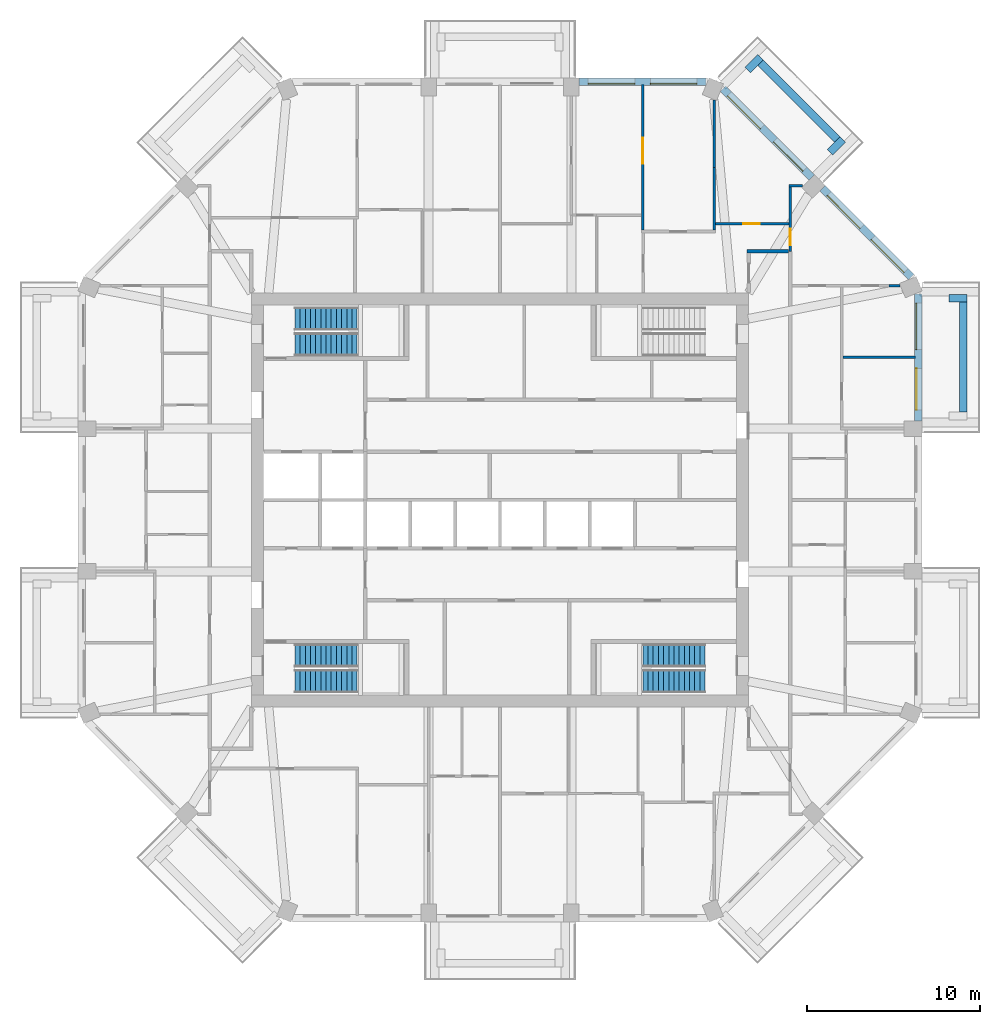
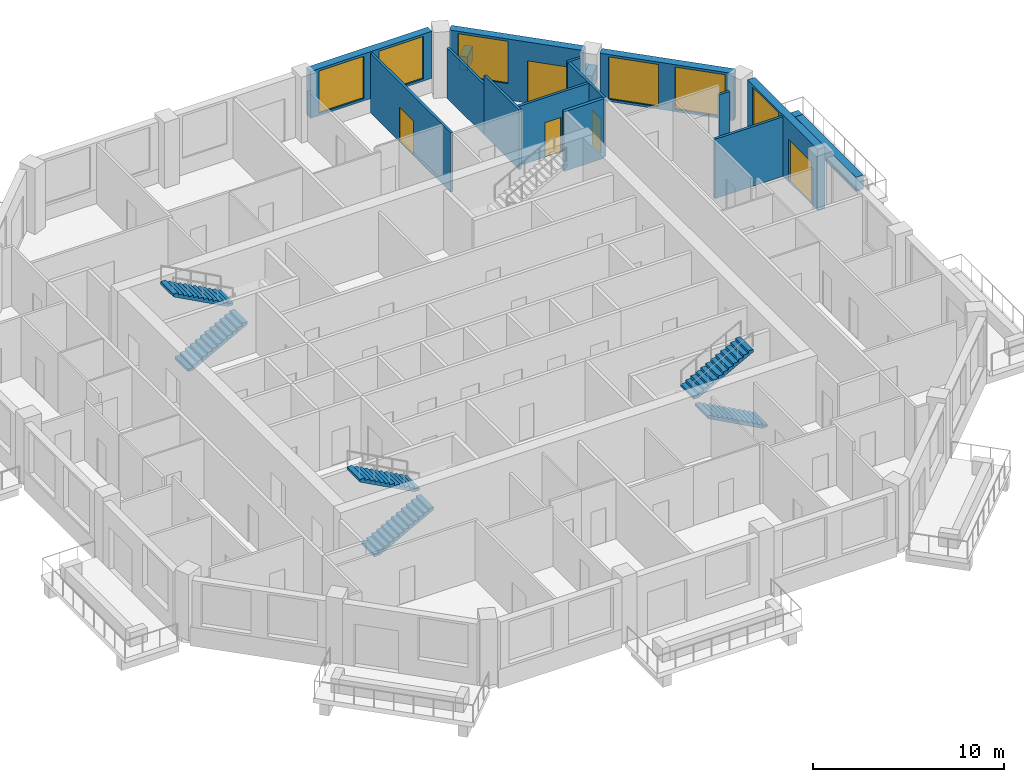
# One storey, part 9 of 12: 18 walls, 6 stair flights, 6 windows, 5 doors, 11 openings, 3 elements without a shape of their own.
"""IFC4 building model written with IfcOpenShell, lengths in metres."""

from ifc_helpers import new_model, si_unit, direction, frame, frame_2d, origin, place, context, subcontext, project, spatial, polyline, rectangle, outline, extrude, material, layer, layer_set, type_object, element, fill, aggregate, save


model = new_model("IFC4")

# Units and contexts
model_context = context("Model", 3, precision=1e-05, world=origin(), true_north=direction((0.0, 1.0)))
body_context = subcontext(model_context, "Body", "Model", "MODEL_VIEW")
ifc_project = project(units=[si_unit("LENGTHUNIT", "METRE"), si_unit("AREAUNIT", "SQUARE_METRE"), si_unit("VOLUMEUNIT", "CUBIC_METRE"), si_unit("PLANEANGLEUNIT", "RADIAN"), si_unit("MASSUNIT", "GRAM", prefix="KILO")], contexts=[model_context])

# Site, building, storey
site_placement = place(None, origin())
site = spatial("IfcSite", under=ifc_project, at=site_placement, CompositionType="ELEMENT")
building_placement = place(site_placement, origin())
building = spatial("IfcBuilding", under=site, at=building_placement, Name="Msitu Wima Residences", CompositionType="ELEMENT")
storey_placement = place(building_placement, frame((0.0, 0.0, 204.300048828125)))
storey = spatial("IfcBuildingStorey", under=building, at=storey_placement, Name="L47", CompositionType="ELEMENT", Elevation=204.300048828125)

# Walls
ifc_material_1 = material(Name="Facing brick")
ifc_layer_1 = layer(ifc_material_1, 0.06494140625, Name="Facing brick")
ifc_material_2 = material(Name="Concrete C40/50", Category="concrete")
ifc_layer_2 = layer(ifc_material_2, 0.156005859375, Name="Concrete C40/50")
ifc_material_3 = material(Name="Waterproofing membrane")
ifc_layer_3 = layer(ifc_material_3, 0.00390625, Name="Waterproofing membrane")
ifc_material_4 = material(Name="Planting soil and planting")
ifc_layer_4 = layer(ifc_material_4, 0.22509765625, Name="Planting soil and planting")
ifc_layer_set_1 = layer_set([ifc_layer_1, ifc_layer_2, ifc_layer_3, ifc_layer_4], Name="Concrete C40/50")
wall_type_1 = type_object("IfcWallType", Name="Balcony planter PLANTER PL450", PredefinedType="USERDEFINED", material=ifc_layer_set_1)
wall_1_placement = place(storey_placement, frame((26.824951171875, 5.087158203125, 0.0), z_axis=(0.0, 0.0, 1.0), x_axis=(0.0, 1.0, 0.0)))
element("IfcWall", 1, at=wall_1_placement, inside=storey, type_object=wall_type_1, Name="Balcony planter E2 L47", ObjectType="PLANTER", PredefinedType="USERDEFINED", context=body_context, shape_type="SweptSolid", body=[
    extrude(rectangle(XDim=6.37451171875, YDim=0.449951171875, at=frame_2d((3.187255859375, 0.0))), origin(), (0.0, 0.0, 1.0), 0.89990234375),
])
wall_2_placement = place(storey_placement, frame((26.0, 11.686767578125, 0.0), z_axis=(0.0, 0.0, 1.0), x_axis=(1.0, 0.0, 0.0)))
element("IfcWall", 2, at=wall_2_placement, inside=storey, type_object=wall_type_1, Name="Balcony planter E2 L47", ObjectType="PLANTER", PredefinedType="USERDEFINED", context=body_context, shape_type="SweptSolid", body=[
    extrude(rectangle(XDim=1.050048828125, YDim=0.449951171875, at=frame_2d((0.52490234375, 0.0))), origin(), (0.0, 0.0, 1.0), 0.89990234375),
])
wall_3_placement = place(storey_placement, frame((19.53173828125, 20.875244140625, 0.0), z_axis=(0.0, 0.0, 1.0), x_axis=(-0.707106781187, 0.707106781187, 0.0)))
element("IfcWall", 3, at=wall_3_placement, inside=storey, type_object=wall_type_1, Name="Balcony planter NE1 L47", ObjectType="PLANTER", PredefinedType="USERDEFINED", context=body_context, shape_type="SweptSolid", body=[
    extrude(rectangle(XDim=6.294189453125, YDim=0.449951171875, at=frame_2d((3.14697265625, 0.0))), origin(), (0.0, 0.0, 1.0), 0.89990234375),
])
for number, where, z_axis, x_axis, name in (
    (4, (19.107421875, 20.1328125, 0.0), (0.0, 0.0, 1.0), (0.707106781187, 0.707106781187, 0.0), "Balcony planter NE1 L47"),
    (5, (14.338623046875, 24.901611328125, 0.0), (0.0, 0.0, 1.0), (0.707106781187, 0.707106781187, 0.0), "Balcony planter NE1 L47"),
):
    element("IfcWall", number, at=place(storey_placement, frame(where, z_axis=z_axis, x_axis=x_axis)), inside=storey, type_object=wall_type_1, Name=name, ObjectType="PLANTER", PredefinedType="USERDEFINED", context=body_context, shape_type="SweptSolid", body=[
        extrude(rectangle(XDim=1.050048828125, YDim=0.449951171875, at=frame_2d((0.52490234375, 0.0))), origin(), (0.0, 0.0, 1.0), 0.89990234375),
    ])

# Wall, openings, door, window
ifc_material_5 = material(Name="Brick (red buff mix)", Category="masonry")
ifc_layer_5 = layer(ifc_material_5, 0.449951171875)
ifc_layer_set_2 = layer_set([ifc_layer_5], Name="Brick (red buff mix)")
wall_type_2 = type_object("IfcWallType", Name="Brick infill wall BW450", PredefinedType="SOLIDWALL", material=ifc_layer_set_2)
wall_4_placement = place(storey_placement, frame((24.22509765625, 4.587158203125, 0.0), z_axis=(0.0, 0.0, 1.0), x_axis=(0.0, 1.0, 0.0)))
wall_4 = element("IfcWall", 6, at=wall_4_placement, inside=storey, type_object=wall_type_2, Name="Brick infill wall L47 E2", PredefinedType="SOLIDWALL", context=body_context, shape_type="SweptSolid", body=[
    extrude(rectangle(XDim=7.337646484375, YDim=0.449951171875, at=frame_2d((3.6689453125, 0.0))), origin(), (0.0, 0.0, 1.0), 3.89990234375),
])
opening_1_placement = place(wall_4_placement, frame((0.63427734375, 0.0, 0.0)))
opening_1 = element("IfcOpeningElement", 7, at=opening_1_placement, cuts=wall_4, Name="Opening D47.002", PredefinedType="OPENING", context=body_context, shape_type="SweptSolid", body=[
    extrude(rectangle(XDim=2.39990234375, YDim=2.699951171875, at=frame_2d((1.199951171875, 1.35009765625))), frame((0.0, 0.23486328125, 0.0), z_axis=(0.0, -1.0, 0.0), x_axis=(1.0, 0.0, 0.0)), (0.0, 0.0, 1.0), 0.469970703125),
])
opening_2_placement = place(wall_4_placement, frame((4.11865234375, 0.0, 1.050048828125)))
opening_2 = element("IfcOpeningElement", 8, at=opening_2_placement, cuts=wall_4, Name="Opening W47.004", PredefinedType="OPENING", context=body_context, shape_type="SweptSolid", body=[
    extrude(rectangle(XDim=2.699951171875, YDim=2.699951171875, at=frame_2d((1.35009765625, 1.35009765625))), frame((0.0, 0.23486328125, 0.0), z_axis=(0.0, -1.0, 0.0), x_axis=(1.0, 0.0, 0.0)), (0.0, 0.0, 1.0), 0.469970703125),
])
ifc_material_6 = material(Name="Anodised aluminium, bronze finish, clear low-emissivity double glazing", Category="aluminium")
door_type_1 = type_object("IfcDoorType", Name="Balcony door D2400x2700", OperationType="SLIDING_TO_LEFT", PredefinedType="DOOR", material=ifc_material_6)
door_1_placement = place(opening_1_placement, origin())
door_1 = element("IfcDoor", 9, at=door_1_placement, inside=storey, type_object=door_type_1, Name="Balcony door L47 E2", OperationType="SINGLE_SWING_LEFT", OverallHeight=2.699951171875, OverallWidth=2.39990234375, PredefinedType="DOOR", context=body_context, shape_type="SweptSolid", body=[
    extrude(rectangle(XDim=2.39990234375, YDim=2.699951171875, at=frame_2d((1.199951171875, 1.35009765625))), frame((0.0, 0.1298828125, 0.0), z_axis=(0.0, -1.0, 0.0), x_axis=(1.0, 0.0, 0.0)), (0.0, 0.0, 1.0), 0.050048828125),
])
fill(opening_1, door_1)
window_type = type_object("IfcWindowType", Name="Window W2700x2700", PartitioningType="DOUBLE_PANEL_VERTICAL", PredefinedType="WINDOW", material=ifc_material_6)
window_1_placement = place(opening_2_placement, origin())
window_1 = element("IfcWindow", 10, at=window_1_placement, inside=storey, type_object=window_type, Name="Window L47 E2.2", OverallHeight=2.699951171875, OverallWidth=2.699951171875, PartitioningType="SINGLE_PANEL", PredefinedType="WINDOW", context=body_context, shape_type="SweptSolid", body=[
    extrude(rectangle(XDim=2.699951171875, YDim=2.699951171875, at=frame_2d((1.35009765625, 1.35009765625))), frame((0.0, 0.135009765625, 0.0), z_axis=(0.0, -1.0, 0.0), x_axis=(1.0, 0.0, 0.0)), (0.0, 0.0, 1.0), 0.06005859375),
])
fill(opening_2, window_1)

# Wall, openings, windows
wall_5_placement = place(storey_placement, frame((23.814697265625, 12.915283203125, 0.89990234375), z_axis=(0.0, 0.0, 1.0), x_axis=(-0.707106781187, 0.707106781187, 0.0)))
wall_5 = element("IfcWall", 11, at=wall_5_placement, inside=storey, type_object=wall_type_2, Name="Brick infill wall L47 NE0", PredefinedType="SOLIDWALL", context=body_context, shape_type="SweptSolid", body=[
    extrude(rectangle(XDim=7.257080078125, YDim=0.449951171875, at=frame_2d((3.62841796875, 0.0))), origin(), (0.0, 0.0, 1.0), 3.0),
])
opening_3_placement = place(wall_5_placement, frame((0.478515625, 0.0, 0.14990234375)))
opening_3 = element("IfcOpeningElement", 12, at=opening_3_placement, cuts=wall_5, Name="Opening W47.010", PredefinedType="OPENING", context=body_context, shape_type="SweptSolid", body=[
    extrude(rectangle(XDim=2.699951171875, YDim=2.699951171875, at=frame_2d((1.35009765625, 1.35009765625))), frame((0.0, 0.23486328125, 0.0), z_axis=(0.0, -1.0, 0.0), x_axis=(1.0, 0.0, 0.0)), (0.0, 0.0, 1.0), 0.469970703125),
])
opening_4_placement = place(wall_5_placement, frame((4.07861328125, 0.0, 0.14990234375)))
opening_4 = element("IfcOpeningElement", 13, at=opening_4_placement, cuts=wall_5, Name="Opening W47.011", PredefinedType="OPENING", context=body_context, shape_type="SweptSolid", body=[
    extrude(rectangle(XDim=2.699951171875, YDim=2.699951171875, at=frame_2d((1.35009765625, 1.35009765625))), frame((0.0, 0.23486328125, 0.0), z_axis=(0.0, -1.0, 0.0), x_axis=(1.0, 0.0, 0.0)), (0.0, 0.0, 1.0), 0.469970703125),
])
window_2_placement = place(opening_3_placement, origin())
window_2 = element("IfcWindow", 14, at=window_2_placement, inside=storey, type_object=window_type, Name="Window L47 NE0.1", OverallHeight=2.699951171875, OverallWidth=2.699951171875, PartitioningType="SINGLE_PANEL", PredefinedType="WINDOW", context=body_context, shape_type="SweptSolid", body=[
    extrude(rectangle(XDim=2.699951171875, YDim=2.699951171875, at=frame_2d((1.35009765625, 1.35009765625))), frame((0.0, 0.135009765625, 0.0), z_axis=(0.0, -1.0, 0.0), x_axis=(1.0, 0.0, 0.0)), (0.0, 0.0, 1.0), 0.06005859375),
])
fill(opening_3, window_2)
window_3_placement = place(opening_4_placement, origin())
window_3 = element("IfcWindow", 15, at=window_3_placement, inside=storey, type_object=window_type, Name="Window L47 NE0.2", OverallHeight=2.699951171875, OverallWidth=2.699951171875, PartitioningType="SINGLE_PANEL", PredefinedType="WINDOW", context=body_context, shape_type="SweptSolid", body=[
    extrude(rectangle(XDim=2.699951171875, YDim=2.699951171875, at=frame_2d((1.35009765625, 1.35009765625))), frame((0.0, 0.135009765625, 0.0), z_axis=(0.0, -1.0, 0.0), x_axis=(1.0, 0.0, 0.0)), (0.0, 0.0, 1.0), 0.06005859375),
])
fill(opening_4, window_3)

# Wall, openings, door, window
wall_6_placement = place(storey_placement, frame((18.046875, 18.68310546875, 0.0), z_axis=(0.0, 0.0, 1.0), x_axis=(-0.707106781187, 0.707106781187, 0.0)))
wall_6 = element("IfcWall", 16, at=wall_6_placement, inside=storey, type_object=wall_type_2, Name="Brick infill wall L47 NE1", PredefinedType="SOLIDWALL", context=body_context, shape_type="SweptSolid", body=[
    extrude(rectangle(XDim=7.257080078125, YDim=0.449951171875, at=frame_2d((3.62841796875, 0.0))), origin(), (0.0, 0.0, 1.0), 3.89990234375),
])
opening_5_placement = place(wall_6_placement, frame((0.6142578125, 0.0, 0.0)))
opening_5 = element("IfcOpeningElement", 17, at=opening_5_placement, cuts=wall_6, Name="Opening D47.004", PredefinedType="OPENING", context=body_context, shape_type="SweptSolid", body=[
    extrude(rectangle(XDim=2.39990234375, YDim=2.699951171875, at=frame_2d((1.199951171875, 1.35009765625))), frame((0.0, 0.23486328125, 0.0), z_axis=(0.0, -1.0, 0.0), x_axis=(1.0, 0.0, 0.0)), (0.0, 0.0, 1.0), 0.469970703125),
])
opening_6_placement = place(wall_6_placement, frame((4.07861328125, 0.0, 1.050048828125)))
opening_6 = element("IfcOpeningElement", 18, at=opening_6_placement, cuts=wall_6, Name="Opening W47.012", PredefinedType="OPENING", context=body_context, shape_type="SweptSolid", body=[
    extrude(rectangle(XDim=2.699951171875, YDim=2.699951171875, at=frame_2d((1.35009765625, 1.35009765625))), frame((0.0, 0.23486328125, 0.0), z_axis=(0.0, -1.0, 0.0), x_axis=(1.0, 0.0, 0.0)), (0.0, 0.0, 1.0), 0.469970703125),
])
door_2_placement = place(opening_5_placement, origin())
door_2 = element("IfcDoor", 19, at=door_2_placement, inside=storey, type_object=door_type_1, Name="Balcony door L47 NE1", OperationType="SINGLE_SWING_LEFT", OverallHeight=2.699951171875, OverallWidth=2.39990234375, PredefinedType="DOOR", context=body_context, shape_type="SweptSolid", body=[
    extrude(rectangle(XDim=2.39990234375, YDim=2.699951171875, at=frame_2d((1.199951171875, 1.35009765625))), frame((0.0, 0.1298828125, 0.0), z_axis=(0.0, -1.0, 0.0), x_axis=(1.0, 0.0, 0.0)), (0.0, 0.0, 1.0), 0.050048828125),
])
fill(opening_5, door_2)
window_4_placement = place(opening_6_placement, origin())
window_4 = element("IfcWindow", 20, at=window_4_placement, inside=storey, type_object=window_type, Name="Window L47 NE1.2", OverallHeight=2.699951171875, OverallWidth=2.699951171875, PartitioningType="SINGLE_PANEL", PredefinedType="WINDOW", context=body_context, shape_type="SweptSolid", body=[
    extrude(rectangle(XDim=2.699951171875, YDim=2.699951171875, at=frame_2d((1.35009765625, 1.35009765625))), frame((0.0, 0.135009765625, 0.0), z_axis=(0.0, -1.0, 0.0), x_axis=(1.0, 0.0, 0.0)), (0.0, 0.0, 1.0), 0.06005859375),
])
fill(opening_6, window_4)

# Wall, openings, windows
wall_7_placement = place(storey_placement, frame((11.9248046875, 24.22509765625, 0.89990234375), z_axis=(0.0, 0.0, 1.0), x_axis=(-1.0, 0.0, 0.0)))
wall_7 = element("IfcWall", 21, at=wall_7_placement, inside=storey, type_object=wall_type_2, Name="Brick infill wall L47 N0", PredefinedType="SOLIDWALL", context=body_context, shape_type="SweptSolid", body=[
    extrude(rectangle(XDim=7.337646484375, YDim=0.449951171875, at=frame_2d((3.6689453125, 0.0))), origin(), (0.0, 0.0, 1.0), 3.0),
])
opening_7_placement = place(wall_7_placement, frame((0.518798828125, 0.0, 0.14990234375)))
opening_7 = element("IfcOpeningElement", 22, at=opening_7_placement, cuts=wall_7, Name="Opening W47.005", PredefinedType="OPENING", context=body_context, shape_type="SweptSolid", body=[
    extrude(rectangle(XDim=2.699951171875, YDim=2.699951171875, at=frame_2d((1.35009765625, 1.35009765625))), frame((0.0, 0.23486328125, 0.0), z_axis=(0.0, -1.0, 0.0), x_axis=(1.0, 0.0, 0.0)), (0.0, 0.0, 1.0), 0.469970703125),
])
opening_8_placement = place(wall_7_placement, frame((4.11865234375, 0.0, 0.14990234375)))
opening_8 = element("IfcOpeningElement", 23, at=opening_8_placement, cuts=wall_7, Name="Opening W47.006", PredefinedType="OPENING", context=body_context, shape_type="SweptSolid", body=[
    extrude(rectangle(XDim=2.699951171875, YDim=2.699951171875, at=frame_2d((1.35009765625, 1.35009765625))), frame((0.0, 0.23486328125, 0.0), z_axis=(0.0, -1.0, 0.0), x_axis=(1.0, 0.0, 0.0)), (0.0, 0.0, 1.0), 0.469970703125),
])
window_5_placement = place(opening_7_placement, origin())
window_5 = element("IfcWindow", 24, at=window_5_placement, inside=storey, type_object=window_type, Name="Window L47 N0.1", OverallHeight=2.699951171875, OverallWidth=2.699951171875, PartitioningType="SINGLE_PANEL", PredefinedType="WINDOW", context=body_context, shape_type="SweptSolid", body=[
    extrude(rectangle(XDim=2.699951171875, YDim=2.699951171875, at=frame_2d((1.35009765625, 1.35009765625))), frame((0.0, 0.135009765625, 0.0), z_axis=(0.0, -1.0, 0.0), x_axis=(1.0, 0.0, 0.0)), (0.0, 0.0, 1.0), 0.06005859375),
])
fill(opening_7, window_5)
window_6_placement = place(opening_8_placement, origin())
window_6 = element("IfcWindow", 25, at=window_6_placement, inside=storey, type_object=window_type, Name="Window L47 N0.2", OverallHeight=2.699951171875, OverallWidth=2.699951171875, PartitioningType="SINGLE_PANEL", PredefinedType="WINDOW", context=body_context, shape_type="SweptSolid", body=[
    extrude(rectangle(XDim=2.699951171875, YDim=2.699951171875, at=frame_2d((1.35009765625, 1.35009765625))), frame((0.0, 0.135009765625, 0.0), z_axis=(0.0, -1.0, 0.0), x_axis=(1.0, 0.0, 0.0)), (0.0, 0.0, 1.0), 0.06005859375),
])
fill(opening_8, window_6)

# Wall
ifc_material_7 = material(Name="Plaster")
ifc_layer_6 = layer(ifc_material_7, 0.011962890625, Name="Plaster")
ifc_material_8 = material(Name="Concrete blockwork", Category="masonry")
ifc_layer_7 = layer(ifc_material_8, 0.176025390625, Name="Concrete blockwork")
ifc_layer_8 = layer(ifc_material_7, 0.011962890625, Name="Plaster")
ifc_layer_set_3 = layer_set([ifc_layer_6, ifc_layer_7, ifc_layer_8], Name="Concrete blockwork")
wall_type_3 = type_object("IfcWallType", Name="Corridor wall FW200", PredefinedType="PARTITIONING", material=ifc_layer_set_3)
wall_8_placement = place(storey_placement, frame((14.300048828125, 14.39990234375, 0.0), z_axis=(0.0, 0.0, 1.0), x_axis=(1.0, 0.0, 0.0)))
element("IfcWall", 26, at=wall_8_placement, inside=storey, type_object=wall_type_3, Name="Corridor wall", PredefinedType="PARTITIONING", context=body_context, shape_type="SweptSolid", body=[
    extrude(rectangle(XDim=2.39990234375, YDim=0.199951171875, at=frame_2d((1.199951171875, 0.0))), origin(), (0.0, 0.0, 1.0), 3.7978515625),
])

# Wall, opening, door
ifc_layer_9 = layer(ifc_material_7, 0.011962890625, Name="Plaster")
ifc_layer_10 = layer(ifc_material_8, 0.1259765625, Name="Concrete blockwork")
ifc_layer_11 = layer(ifc_material_7, 0.011962890625, Name="Plaster")
ifc_layer_set_4 = layer_set([ifc_layer_9, ifc_layer_10, ifc_layer_11], Name="Concrete blockwork")
wall_type_4 = type_object("IfcWallType", Name="Partition PW150", PredefinedType="PARTITIONING", material=ifc_layer_set_4)
wall_9_placement = place(storey_placement, frame((8.2744140625, 15.625, 0.0), z_axis=(0.0, 0.0, 1.0), x_axis=(0.0, 1.0, 0.0)))
wall_9 = element("IfcWall", 27, at=wall_9_placement, inside=storey, type_object=wall_type_4, Name="Partition", PredefinedType="PARTITIONING", context=body_context, shape_type="SweptSolid", body=[
    extrude(rectangle(XDim=8.429931640625, YDim=0.14990234375, at=frame_2d((4.21484375, 0.0))), origin(), (0.0, 0.0, 1.0), 3.7978515625),
])
opening_9_placement = place(wall_9_placement, frame((3.85009765625, 0.0, 0.0)))
opening_9 = element("IfcOpeningElement", 28, at=opening_9_placement, cuts=wall_9, Name="Opening D47.019", PredefinedType="OPENING", context=body_context, shape_type="SweptSolid", body=[
    extrude(rectangle(XDim=1.5, YDim=2.199951171875, at=frame_2d((0.75, 1.10009765625))), frame((0.0, 0.0849609375, 0.0), z_axis=(0.0, -1.0, 0.0), x_axis=(1.0, 0.0, 0.0)), (0.0, 0.0, 1.0), 0.169921875),
])
ifc_material_9 = material(Name="Timber double door", Category="wood")
door_type_2 = type_object("IfcDoorType", Name="Double door D04 1500x2200", OperationType="DOUBLE_DOOR_SINGLE_SWING", PredefinedType="DOOR", material=ifc_material_9)
door_3_placement = place(opening_9_placement, origin())
door_3 = element("IfcDoor", 29, at=door_3_placement, inside=storey, type_object=door_type_2, Name="Double door", OperationType="DOUBLE_DOOR_SINGLE_SWING", OverallHeight=2.199951171875, OverallWidth=1.5, PredefinedType="DOOR", context=body_context, shape_type="SweptSolid", body=[
    extrude(rectangle(XDim=1.5, YDim=2.199951171875, at=frame_2d((0.75, 1.10009765625))), frame((0.0, 0.02490234375, 0.0), z_axis=(0.0, -1.0, 0.0), x_axis=(1.0, 0.0, 0.0)), (0.0, 0.0, 1.0), 0.050048828125),
])
fill(opening_9, door_3)

# Walls
wall_10_placement = place(storey_placement, frame((12.411865234375, 15.625, 0.0), z_axis=(0.0, 0.0, 1.0), x_axis=(0.0, 1.0, 0.0)))
element("IfcWall", 30, at=wall_10_placement, inside=storey, type_object=wall_type_4, Name="Partition", PredefinedType="PARTITIONING", context=body_context, shape_type="SweptSolid", body=[
    extrude(rectangle(XDim=3.6455078125, YDim=0.14990234375, at=frame_2d((1.82275390625, 0.0))), origin(), (0.0, 0.0, 1.0), 3.7978515625),
])
wall_11_placement = place(storey_placement, frame((12.411865234375, 19.2705078125, 0.0), z_axis=(0.0, 0.0, 1.0), x_axis=(0.0, 1.0, 0.0)))
element("IfcWall", 31, at=wall_11_placement, inside=storey, type_object=wall_type_4, Name="Partition", PredefinedType="PARTITIONING", context=body_context, shape_type="SweptSolid", body=[
    extrude(rectangle(XDim=3.8984375, YDim=0.14990234375, at=frame_2d((1.94921875, 0.0))), origin(), (0.0, 0.0, 1.0), 3.199951171875),
])

# Wall, opening, door
wall_12_placement = place(storey_placement, frame((12.48681640625, 16.0, 0.0), z_axis=(0.0, 0.0, 1.0), x_axis=(1.0, 0.0, 0.0)))
wall_12 = element("IfcWall", 32, at=wall_12_placement, inside=storey, type_object=wall_type_4, Name="Partition", PredefinedType="PARTITIONING", context=body_context, shape_type="SweptSolid", body=[
    extrude(rectangle(XDim=4.23828125, YDim=0.14990234375, at=frame_2d((2.119140625, 0.0))), origin(), (0.0, 0.0, 1.0), 3.7978515625),
])
opening_10_placement = place(wall_12_placement, frame((1.60009765625, 0.0, 0.0)))
opening_10 = element("IfcOpeningElement", 33, at=opening_10_placement, cuts=wall_12, Name="Opening D47.017", PredefinedType="OPENING", context=body_context, shape_type="SweptSolid", body=[
    extrude(rectangle(XDim=0.949951171875, YDim=2.199951171875, at=frame_2d((0.47509765625, 1.10009765625))), frame((0.0, 0.0849609375, 0.0), z_axis=(0.0, -1.0, 0.0), x_axis=(1.0, 0.0, 0.0)), (0.0, 0.0, 1.0), 0.169921875),
])
ifc_material_10 = material(Name="Timber flush door", Category="wood")
door_type_3 = type_object("IfcDoorType", Name="Room door D12 950x2200", OperationType="SINGLE_SWING_LEFT", PredefinedType="DOOR", material=ifc_material_10)
door_4_placement = place(opening_10_placement, origin())
door_4 = element("IfcDoor", 34, at=door_4_placement, inside=storey, type_object=door_type_3, Name="Room door", OperationType="SINGLE_SWING_LEFT", OverallHeight=2.199951171875, OverallWidth=0.949951171875, PredefinedType="DOOR", context=body_context, shape_type="SweptSolid", body=[
    extrude(rectangle(XDim=0.949951171875, YDim=2.199951171875, at=frame_2d((0.47509765625, 1.10009765625))), frame((0.0, 0.02490234375, 0.0), z_axis=(0.0, -1.0, 0.0), x_axis=(1.0, 0.0, 0.0)), (0.0, 0.0, 1.0), 0.050048828125),
])
fill(opening_10, door_4)

# Wall
wall_13_placement = place(storey_placement, frame((22.529296875, 12.409912109375, 0.0), z_axis=(0.0, 0.0, 1.0), x_axis=(1.0, 0.0, 0.0)))
element("IfcWall", 35, at=wall_13_placement, inside=storey, type_object=wall_type_4, Name="Partition", PredefinedType="PARTITIONING", context=body_context, shape_type="SweptSolid", body=[
    extrude(rectangle(XDim=0.640380859375, YDim=0.14990234375, at=frame_2d((0.3203125, 0.0))), origin(), (0.0, 0.0, 1.0), 3.199951171875),
])

# Wall, opening, door
wall_14_placement = place(storey_placement, frame((16.800048828125, 14.39990234375, 0.0), z_axis=(0.0, 0.0, 1.0), x_axis=(0.0, 1.0, 0.0)))
wall_14 = element("IfcWall", 36, at=wall_14_placement, inside=storey, type_object=wall_type_4, Name="Partition", PredefinedType="PARTITIONING", context=body_context, shape_type="SweptSolid", body=[
    extrude(rectangle(XDim=3.73095703125, YDim=0.14990234375, at=frame_2d((1.865478515625, 0.0))), origin(), (0.0, 0.0, 1.0), 3.7978515625),
])
opening_11_placement = place(wall_14_placement, frame((0.35009765625, 0.0, 0.0)))
opening_11 = element("IfcOpeningElement", 37, at=opening_11_placement, cuts=wall_14, Name="Opening D47.018", PredefinedType="OPENING", context=body_context, shape_type="SweptSolid", body=[
    extrude(rectangle(XDim=0.949951171875, YDim=2.199951171875, at=frame_2d((0.47509765625, 1.10009765625))), frame((0.0, 0.0849609375, 0.0), z_axis=(0.0, -1.0, 0.0), x_axis=(1.0, 0.0, 0.0)), (0.0, 0.0, 1.0), 0.169921875),
])
door_5_placement = place(opening_11_placement, origin())
door_5 = element("IfcDoor", 38, at=door_5_placement, inside=storey, type_object=door_type_3, Name="Room door", OperationType="SINGLE_SWING_RIGHT", OverallHeight=2.199951171875, OverallWidth=0.949951171875, PredefinedType="DOOR", context=body_context, shape_type="SweptSolid", body=[
    extrude(rectangle(XDim=0.949951171875, YDim=2.199951171875, at=frame_2d((0.47509765625, 1.10009765625))), frame((0.0, 0.02490234375, 0.0), z_axis=(0.0, -1.0, 0.0), x_axis=(1.0, 0.0, 0.0)), (0.0, 0.0, 1.0), 0.050048828125),
])
fill(opening_11, door_5)

# Walls
wall_15_placement = place(storey_placement, frame((16.72509765625, 18.205810546875, 0.0), z_axis=(0.0, 0.0, 1.0), x_axis=(1.0, 0.0, 0.0)))
element("IfcWall", 39, at=wall_15_placement, inside=storey, type_object=wall_type_4, Name="Partition", PredefinedType="PARTITIONING", context=body_context, shape_type="SweptSolid", body=[
    extrude(rectangle(XDim=0.784423828125, YDim=0.14990234375, at=frame_2d((0.39208984375, 0.0))), origin(), (0.0, 0.0, 1.0), 3.7978515625),
])
wall_16_placement = place(storey_placement, frame((19.875, 8.2744140625, 0.0), z_axis=(0.0, 0.0, 1.0), x_axis=(1.0, 0.0, 0.0)))
element("IfcWall", 40, at=wall_16_placement, inside=storey, type_object=wall_type_4, Name="Partition", PredefinedType="PARTITIONING", context=body_context, shape_type="SweptSolid", body=[
    extrude(rectangle(XDim=4.179931640625, YDim=0.14990234375, at=frame_2d((2.08984375, 0.0))), origin(), (0.0, 0.0, 1.0), 3.7978515625),
])

# Stair, stair flights
stair_type = type_object("IfcStairType", Name="Exit stair ES1615-135", PredefinedType="HALF_TURN_STAIR", material=ifc_material_2)
stair_1_placement = place(storey_placement, origin())
stair_1 = element("IfcStair", 41, at=stair_1_placement, inside=storey, type_object=stair_type, Name="Exit stair 1", PredefinedType="HALF_TURN_STAIR")
stair_flight_type = type_object("IfcStairFlightType", Name="Exit stair flight ES1615-135", PredefinedType="STRAIGHT", material=ifc_material_2)
stair_flight_1_placement = place(storey_placement, frame((-11.875, 9.0, 0.0), z_axis=(0.0, 0.0, 1.0), x_axis=(1.0, 0.0, 0.0)))
stair_flight_1 = element("IfcStairFlight", 42, at=stair_flight_1_placement, type_object=stair_flight_type, Name="S1 flight 1", NumberOfRisers=13, NumberOfTreads=12, PredefinedType="STRAIGHT", RiserHeight=0.161538462, TreadLength=0.3, context=body_context, shape_type="SweptSolid", body=[
    extrude(outline(polyline([(0.0, 0.0), (0.0, 0.16162109375), (0.300048828125, 0.16162109375), (0.300048828125, 0.322998046875), (0.60009765625, 0.322998046875), (0.60009765625, 0.484619140625), (0.89990234375, 0.484619140625), (0.89990234375, 0.646240234375), (1.199951171875, 0.646240234375), (1.199951171875, 0.8076171875), (1.5, 0.8076171875), (1.5, 0.96923828125), (1.800048828125, 0.96923828125), (1.800048828125, 1.130859375), (2.10009765625, 1.130859375), (2.10009765625, 1.292236328125), (2.39990234375, 1.292236328125), (2.39990234375, 1.453857421875), (2.699951171875, 1.453857421875), (2.699951171875, 1.615478515625), (3.0, 1.615478515625), (3.0, 1.77685546875), (3.300048828125, 1.77685546875), (3.300048828125, 1.9384765625), (3.60009765625, 1.9384765625), (3.60009765625, 2.10009765625), (3.60009765625, 1.768310546875), (0.316162109375, 0.0), (0.0, 0.0)])), frame((0.0, 0.675048828125, 0.0), z_axis=(0.0, -1.0, 0.0), x_axis=(1.0, 0.0, 0.0)), (0.0, 0.0, 1.0), 1.35009765625),
])
stair_flight_2_placement = place(storey_placement, frame((-8.27490234375, 10.5, 2.099853515625), z_axis=(0.0, 0.0, 1.0), x_axis=(-1.0, 0.0, 0.0)))
stair_flight_2 = element("IfcStairFlight", 43, at=stair_flight_2_placement, type_object=stair_flight_type, Name="S1 flight 2", NumberOfRisers=13, NumberOfTreads=12, PredefinedType="STRAIGHT", RiserHeight=0.161538462, TreadLength=0.3, context=body_context, shape_type="SweptSolid", body=[
    extrude(outline(polyline([(0.0, 0.0), (0.0, 0.16162109375), (0.300048828125, 0.16162109375), (0.300048828125, 0.322998046875), (0.60009765625, 0.322998046875), (0.60009765625, 0.484619140625), (0.89990234375, 0.484619140625), (0.89990234375, 0.646240234375), (1.199951171875, 0.646240234375), (1.199951171875, 0.8076171875), (1.5, 0.8076171875), (1.5, 0.96923828125), (1.800048828125, 0.96923828125), (1.800048828125, 1.130859375), (2.10009765625, 1.130859375), (2.10009765625, 1.292236328125), (2.39990234375, 1.292236328125), (2.39990234375, 1.453857421875), (2.699951171875, 1.453857421875), (2.699951171875, 1.615478515625), (3.0, 1.615478515625), (3.0, 1.77685546875), (3.300048828125, 1.77685546875), (3.300048828125, 1.9384765625), (3.60009765625, 1.9384765625), (3.60009765625, 2.10009765625), (3.60009765625, 1.768310546875), (0.316162109375, 0.0), (0.0, 0.0)])), frame((0.0, 0.675048828125, 0.0), z_axis=(0.0, -1.0, 0.0), x_axis=(1.0, 0.0, 0.0)), (0.0, 0.0, 1.0), 1.35009765625),
])
aggregate(stair_1, [stair_flight_1, stair_flight_2])

stair_2_placement = place(storey_placement, origin())
stair_2 = element("IfcStair", 44, at=stair_2_placement, inside=storey, type_object=stair_type, Name="Exit stair 2", PredefinedType="HALF_TURN_STAIR")
stair_flight_3_placement = place(storey_placement, frame((-11.875, -10.5, 0.0), z_axis=(0.0, 0.0, 1.0), x_axis=(1.0, 0.0, 0.0)))
stair_flight_3 = element("IfcStairFlight", 45, at=stair_flight_3_placement, type_object=stair_flight_type, Name="S2 flight 1", NumberOfRisers=13, NumberOfTreads=12, PredefinedType="STRAIGHT", RiserHeight=0.161538462, TreadLength=0.3, context=body_context, shape_type="SweptSolid", body=[
    extrude(outline(polyline([(0.0, 0.0), (0.0, 0.16162109375), (0.300048828125, 0.16162109375), (0.300048828125, 0.322998046875), (0.60009765625, 0.322998046875), (0.60009765625, 0.484619140625), (0.89990234375, 0.484619140625), (0.89990234375, 0.646240234375), (1.199951171875, 0.646240234375), (1.199951171875, 0.8076171875), (1.5, 0.8076171875), (1.5, 0.96923828125), (1.800048828125, 0.96923828125), (1.800048828125, 1.130859375), (2.10009765625, 1.130859375), (2.10009765625, 1.292236328125), (2.39990234375, 1.292236328125), (2.39990234375, 1.453857421875), (2.699951171875, 1.453857421875), (2.699951171875, 1.615478515625), (3.0, 1.615478515625), (3.0, 1.77685546875), (3.300048828125, 1.77685546875), (3.300048828125, 1.9384765625), (3.60009765625, 1.9384765625), (3.60009765625, 2.10009765625), (3.60009765625, 1.768310546875), (0.316162109375, 0.0), (0.0, 0.0)])), frame((0.0, 0.675048828125, 0.0), z_axis=(0.0, -1.0, 0.0), x_axis=(1.0, 0.0, 0.0)), (0.0, 0.0, 1.0), 1.35009765625),
])
stair_flight_4_placement = place(storey_placement, frame((-8.27490234375, -9.0, 2.099853515625), z_axis=(0.0, 0.0, 1.0), x_axis=(-1.0, 0.0, 0.0)))
stair_flight_4 = element("IfcStairFlight", 46, at=stair_flight_4_placement, type_object=stair_flight_type, Name="S2 flight 2", NumberOfRisers=13, NumberOfTreads=12, PredefinedType="STRAIGHT", RiserHeight=0.161538462, TreadLength=0.3, context=body_context, shape_type="SweptSolid", body=[
    extrude(outline(polyline([(0.0, 0.0), (0.0, 0.16162109375), (0.300048828125, 0.16162109375), (0.300048828125, 0.322998046875), (0.60009765625, 0.322998046875), (0.60009765625, 0.484619140625), (0.89990234375, 0.484619140625), (0.89990234375, 0.646240234375), (1.199951171875, 0.646240234375), (1.199951171875, 0.8076171875), (1.5, 0.8076171875), (1.5, 0.96923828125), (1.800048828125, 0.96923828125), (1.800048828125, 1.130859375), (2.10009765625, 1.130859375), (2.10009765625, 1.292236328125), (2.39990234375, 1.292236328125), (2.39990234375, 1.453857421875), (2.699951171875, 1.453857421875), (2.699951171875, 1.615478515625), (3.0, 1.615478515625), (3.0, 1.77685546875), (3.300048828125, 1.77685546875), (3.300048828125, 1.9384765625), (3.60009765625, 1.9384765625), (3.60009765625, 2.10009765625), (3.60009765625, 1.768310546875), (0.316162109375, 0.0), (0.0, 0.0)])), frame((0.0, 0.675048828125, 0.0), z_axis=(0.0, -1.0, 0.0), x_axis=(1.0, 0.0, 0.0)), (0.0, 0.0, 1.0), 1.35009765625),
])
aggregate(stair_2, [stair_flight_3, stair_flight_4])

stair_3_placement = place(storey_placement, origin())
stair_3 = element("IfcStair", 47, at=stair_3_placement, inside=storey, type_object=stair_type, Name="Exit stair 4", PredefinedType="HALF_TURN_STAIR")
stair_flight_5_placement = place(storey_placement, frame((11.875, -10.5, 0.0), z_axis=(0.0, 0.0, 1.0), x_axis=(-1.0, 0.0, 0.0)))
stair_flight_5 = element("IfcStairFlight", 48, at=stair_flight_5_placement, type_object=stair_flight_type, Name="S4 flight 1", NumberOfRisers=13, NumberOfTreads=12, PredefinedType="STRAIGHT", RiserHeight=0.161538462, TreadLength=0.3, context=body_context, shape_type="SweptSolid", body=[
    extrude(outline(polyline([(0.0, 0.0), (0.0, 0.16162109375), (0.300048828125, 0.16162109375), (0.300048828125, 0.322998046875), (0.60009765625, 0.322998046875), (0.60009765625, 0.484619140625), (0.89990234375, 0.484619140625), (0.89990234375, 0.646240234375), (1.199951171875, 0.646240234375), (1.199951171875, 0.8076171875), (1.5, 0.8076171875), (1.5, 0.96923828125), (1.800048828125, 0.96923828125), (1.800048828125, 1.130859375), (2.10009765625, 1.130859375), (2.10009765625, 1.292236328125), (2.39990234375, 1.292236328125), (2.39990234375, 1.453857421875), (2.699951171875, 1.453857421875), (2.699951171875, 1.615478515625), (3.0, 1.615478515625), (3.0, 1.77685546875), (3.300048828125, 1.77685546875), (3.300048828125, 1.9384765625), (3.60009765625, 1.9384765625), (3.60009765625, 2.10009765625), (3.60009765625, 1.768310546875), (0.316162109375, 0.0), (0.0, 0.0)])), frame((0.0, 0.675048828125, 0.0), z_axis=(0.0, -1.0, 0.0), x_axis=(1.0, 0.0, 0.0)), (0.0, 0.0, 1.0), 1.35009765625),
])
stair_flight_6_placement = place(storey_placement, frame((8.27490234375, -9.0, 2.099853515625), z_axis=(0.0, 0.0, 1.0), x_axis=(1.0, 0.0, 0.0)))
stair_flight_6 = element("IfcStairFlight", 49, at=stair_flight_6_placement, type_object=stair_flight_type, Name="S4 flight 2", NumberOfRisers=13, NumberOfTreads=12, PredefinedType="STRAIGHT", RiserHeight=0.161538462, TreadLength=0.3, context=body_context, shape_type="SweptSolid", body=[
    extrude(outline(polyline([(0.0, 0.0), (0.0, 0.16162109375), (0.300048828125, 0.16162109375), (0.300048828125, 0.322998046875), (0.60009765625, 0.322998046875), (0.60009765625, 0.484619140625), (0.89990234375, 0.484619140625), (0.89990234375, 0.646240234375), (1.199951171875, 0.646240234375), (1.199951171875, 0.8076171875), (1.5, 0.8076171875), (1.5, 0.96923828125), (1.800048828125, 0.96923828125), (1.800048828125, 1.130859375), (2.10009765625, 1.130859375), (2.10009765625, 1.292236328125), (2.39990234375, 1.292236328125), (2.39990234375, 1.453857421875), (2.699951171875, 1.453857421875), (2.699951171875, 1.615478515625), (3.0, 1.615478515625), (3.0, 1.77685546875), (3.300048828125, 1.77685546875), (3.300048828125, 1.9384765625), (3.60009765625, 1.9384765625), (3.60009765625, 2.10009765625), (3.60009765625, 1.768310546875), (0.316162109375, 0.0), (0.0, 0.0)])), frame((0.0, 0.675048828125, 0.0), z_axis=(0.0, -1.0, 0.0), x_axis=(1.0, 0.0, 0.0)), (0.0, 0.0, 1.0), 1.35009765625),
])
aggregate(stair_3, [stair_flight_5, stair_flight_6])

save(model, "model.ifc")
